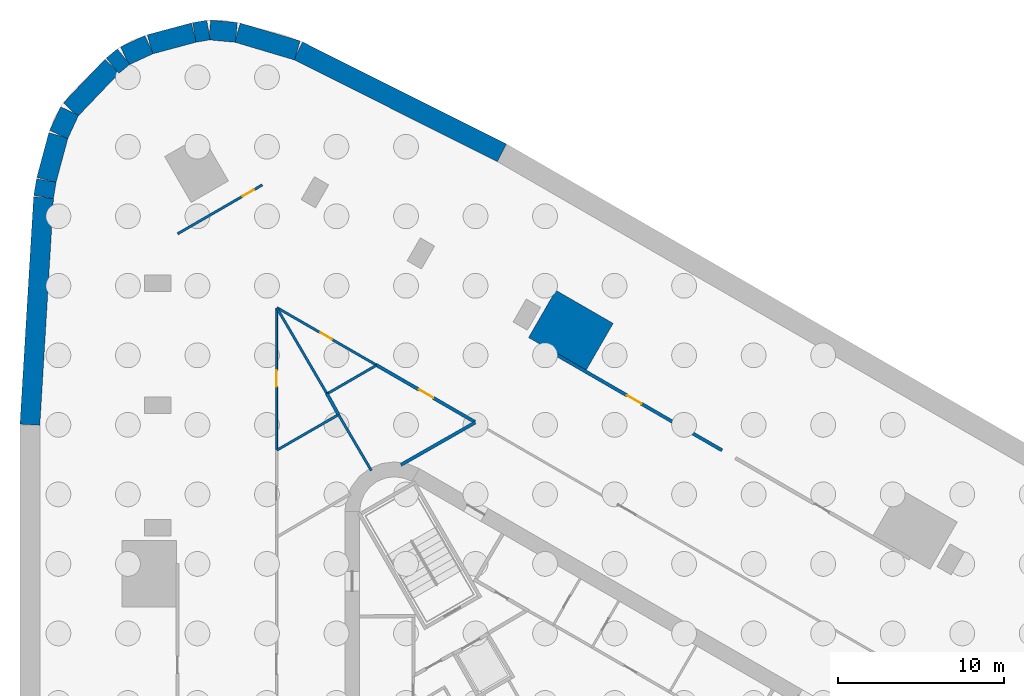
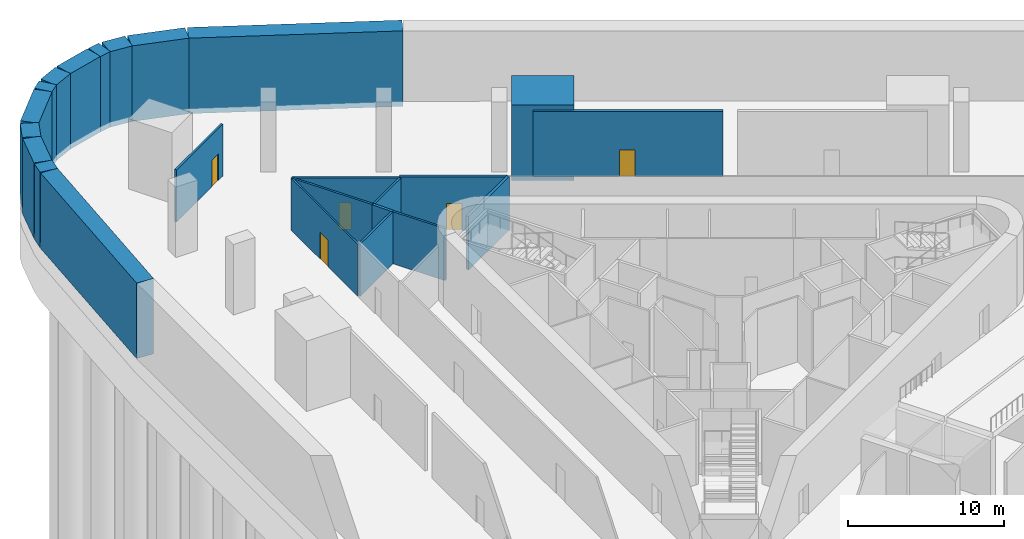
# One storey, part 9 of 13: 24 walls, 5 doors, 5 openings.
"""IFC4 building model written with IfcOpenShell, lengths in metres."""

from ifc_helpers import new_model, si_unit, direction, frame, frame_2d, origin, place, context, subcontext, project, spatial, polyline, rectangle, outline, extrude, material, layer, layer_set, type_object, element, fill, save


model = new_model("IFC4")

# Units and contexts
model_context = context("Model", 3, precision=1e-05, world=origin(), true_north=direction((0.0, 1.0)))
body_context = subcontext(model_context, "Body", "Model", "MODEL_VIEW")
ifc_project = project(units=[si_unit("LENGTHUNIT", "METRE"), si_unit("AREAUNIT", "SQUARE_METRE"), si_unit("VOLUMEUNIT", "CUBIC_METRE"), si_unit("PLANEANGLEUNIT", "RADIAN"), si_unit("MASSUNIT", "GRAM", prefix="KILO")], contexts=[model_context])

# Site, building, storey
site_placement = place(None, origin())
site = spatial("IfcSite", under=ifc_project, at=site_placement, CompositionType="ELEMENT")
building_placement = place(site_placement, origin())
building = spatial("IfcBuilding", under=site, at=building_placement, Name="Tanit Gate Tower", CompositionType="ELEMENT")
storey_placement = place(building_placement, frame((0.0, 0.0, -11.0)))
storey = spatial("IfcBuildingStorey", under=building, at=storey_placement, Name="B2", CompositionType="ELEMENT", Elevation=-11.0)

# Walls
ifc_material_1 = material(Name="Concrete C35/45", Category="concrete")
ifc_layer_1 = layer(ifc_material_1, 1.199951171875)
ifc_layer_set_1 = layer_set([ifc_layer_1], Name="DIAPHRAGM WALL 1200 C35/45")
wall_type_1 = type_object("IfcWallType", Name="DIAPHRAGM WALL 1200 C35/45", PredefinedType="SHEAR", material=ifc_layer_set_1)
wall_1_placement = place(storey_placement, frame((-31.119384765625, 21.0087890625, -0.39990234375), z_axis=(0.0, 0.0, 1.0), x_axis=(0.059805921037, 0.998210023897, 0.0)))
element("IfcWall", 1, at=wall_1_placement, inside=storey, type_object=wall_type_1, Name="DIAPHRAGM WALL", PredefinedType="SHEAR", context=body_context, shape_type="SweptSolid", body=[
    extrude(rectangle(XDim=13.744873046875, YDim=1.199951171875, at=frame_2d((6.87255859375, 0.0))), origin(), (0.0, 0.0, 1.0), 5.89990234375),
])
wall_2_placement = place(storey_placement, frame((-30.2939453125, 34.75927734375, -0.39990234375), z_axis=(0.0, 0.0, 1.0), x_axis=(0.16003956503, 0.987110600503, 0.0)))
element("IfcWall", 2, at=wall_2_placement, inside=storey, type_object=wall_type_1, Name="DIAPHRAGM WALL", PredefinedType="SHEAR", context=body_context, shape_type="SweptSolid", body=[
    extrude(rectangle(XDim=1.017578125, YDim=1.199951171875, at=frame_2d((0.5087890625, 0.0))), origin(), (0.0, 0.0, 1.0), 5.89990234375),
])
wall_3_placement = place(storey_placement, frame((-30.124755859375, 35.79345703125, -0.39990234375), z_axis=(0.0, 0.0, 1.0), x_axis=(0.259502793188, 0.965742357116, 0.0)))
element("IfcWall", 3, at=wall_3_placement, inside=storey, type_object=wall_type_1, Name="DIAPHRAGM WALL", PredefinedType="SHEAR", context=body_context, shape_type="SweptSolid", body=[
    extrude(rectangle(XDim=2.79052734375, YDim=1.199951171875, at=frame_2d((1.395263671875, 0.0))), origin(), (0.0, 0.0, 1.0), 5.89990234375),
])
wall_4_placement = place(storey_placement, frame((-29.3828125, 38.537109375, -0.39990234375), z_axis=(0.0, 0.0, 1.0), x_axis=(0.421709930533, 0.906730794938, 0.0)))
element("IfcWall", 4, at=wall_4_placement, inside=storey, type_object=wall_type_1, Name="DIAPHRAGM WALL", PredefinedType="SHEAR", context=body_context, shape_type="SweptSolid", body=[
    extrude(rectangle(XDim=1.569580078125, YDim=1.199951171875, at=frame_2d((0.78466796875, 0.0))), origin(), (0.0, 0.0, 1.0), 5.89990234375),
])
wall_5_placement = place(storey_placement, frame((-28.666015625, 40.040771484375, -0.39990234375), z_axis=(0.0, 0.0, 1.0), x_axis=(0.69065439455, 0.723184974463, 0.0)))
element("IfcWall", 5, at=wall_5_placement, inside=storey, type_object=wall_type_1, Name="DIAPHRAGM WALL", PredefinedType="SHEAR", context=body_context, shape_type="SweptSolid", body=[
    extrude(rectangle(XDim=3.639892578125, YDim=1.199951171875, at=frame_2d((1.81982421875, 0.0))), origin(), (0.0, 0.0, 1.0), 5.89990234375),
])
wall_6_placement = place(storey_placement, frame((-26.126708984375, 42.697021484375, -0.39990234375), z_axis=(0.0, 0.0, 1.0), x_axis=(0.769608956925, 0.638515507581, 0.0)))
element("IfcWall", 6, at=wall_6_placement, inside=storey, type_object=wall_type_1, Name="DIAPHRAGM WALL", PredefinedType="SHEAR", context=body_context, shape_type="SweptSolid", body=[
    extrude(rectangle(XDim=0.864013671875, YDim=1.199951171875, at=frame_2d((0.43212890625, 0.0))), origin(), (0.0, 0.0, 1.0), 5.89990234375),
])
wall_7_placement = place(storey_placement, frame((-25.395751953125, 43.290283203125, -0.39990234375), z_axis=(0.0, 0.0, 1.0), x_axis=(0.908153077633, 0.418638253848, 0.0)))
element("IfcWall", 7, at=wall_7_placement, inside=storey, type_object=wall_type_1, Name="DIAPHRAGM WALL", PredefinedType="SHEAR", context=body_context, shape_type="SweptSolid", body=[
    extrude(rectangle(XDim=1.622314453125, YDim=1.199951171875, at=frame_2d((0.81103515625, 0.0))), origin(), (0.0, 0.0, 1.0), 5.89990234375),
])
wall_8_placement = place(storey_placement, frame((-23.87451171875, 43.987060546875, -0.39990234375), z_axis=(0.0, 0.0, 1.0), x_axis=(0.965929438516, 0.258805563714, 0.0)))
element("IfcWall", 8, at=wall_8_placement, inside=storey, type_object=wall_type_1, Name="DIAPHRAGM WALL", PredefinedType="SHEAR", context=body_context, shape_type="SweptSolid", body=[
    extrude(rectangle(XDim=2.751708984375, YDim=1.199951171875, at=frame_2d((1.3759765625, 0.0))), origin(), (0.0, 0.0, 1.0), 5.89990234375),
])
wall_9_placement = place(storey_placement, frame((-21.189208984375, 44.705078125, -0.39990234375), z_axis=(0.0, 0.0, 1.0), x_axis=(0.98573984113, 0.168276455894, 0.0)))
element("IfcWall", 9, at=wall_9_placement, inside=storey, type_object=wall_type_1, Name="DIAPHRAGM WALL", PredefinedType="SHEAR", context=body_context, shape_type="SweptSolid", body=[
    extrude(rectangle(XDim=0.86767578125, YDim=1.199951171875, at=frame_2d((0.433837890625, 0.0))), origin(), (0.0, 0.0, 1.0), 5.89990234375),
])
wall_10_placement = place(storey_placement, frame((-20.256103515625, 44.85400390625, -0.39990234375), z_axis=(0.0, 0.0, 1.0), x_axis=(0.995812438951, -0.091419836086, 0.0)))
element("IfcWall", 10, at=wall_10_placement, inside=storey, type_object=wall_type_1, Name="DIAPHRAGM WALL", PredefinedType="SHEAR", context=body_context, shape_type="SweptSolid", body=[
    extrude(rectangle(XDim=1.618408203125, YDim=1.199951171875, at=frame_2d((0.80908203125, 0.0))), origin(), (0.0, 0.0, 1.0), 5.89990234375),
])
wall_11_placement = place(storey_placement, frame((-18.58642578125, 44.69482421875, -0.39990234375), z_axis=(0.0, 0.0, 1.0), x_axis=(0.958421787055, -0.285355354075, 0.0)))
element("IfcWall", 11, at=wall_11_placement, inside=storey, type_object=wall_type_1, Name="DIAPHRAGM WALL", PredefinedType="SHEAR", context=body_context, shape_type="SweptSolid", body=[
    extrude(rectangle(XDim=3.778076171875, YDim=1.199951171875, at=frame_2d((1.88916015625, 0.0))), origin(), (0.0, 0.0, 1.0), 5.89990234375),
])
wall_12_placement = place(storey_placement, frame((-14.916748046875, 43.597412109375, -0.39990234375), z_axis=(0.0, 0.0, 1.0), x_axis=(0.894256838825, -0.447554137747, 0.0)))
element("IfcWall", 12, at=wall_12_placement, inside=storey, type_object=wall_type_1, Name="DIAPHRAGM WALL", PredefinedType="SHEAR", context=body_context, shape_type="SweptSolid", body=[
    extrude(rectangle(XDim=13.763427734375, YDim=1.199951171875, at=frame_2d((6.8818359375, 0.0))), origin(), (0.0, 0.0, 1.0), 5.89990234375),
])

# Wall, opening, door
ifc_material_2 = material(Name="Fire-rated gypsum board partition")
ifc_layer_2 = layer(ifc_material_2, 0.199951171875)
ifc_layer_set_2 = layer_set([ifc_layer_2], Name="INT-WALL-COMPARTMENT")
wall_type_2 = type_object("IfcWallType", Name="INT-WALL-COMPARTMENT", PredefinedType="PARTITIONING", material=ifc_layer_set_2)
wall_13_placement = place(storey_placement, frame((-4.236328125, 21.175048828125, 0.0), z_axis=(0.0, 0.0, 1.0), x_axis=(-0.86602711848, 0.499997030048, 0.0)))
wall_13 = element("IfcWall", 13, at=wall_13_placement, inside=storey, type_object=wall_type_2, Name="Wall Compartment W092", PredefinedType="PARTITIONING", context=body_context, shape_type="SweptSolid", body=[
    extrude(rectangle(XDim=6.9013671875, YDim=0.199951171875, at=frame_2d((3.45068359375, 0.0))), origin(), (0.0, 0.0, 1.0), 4.179931640625),
])
opening_1_placement = place(wall_13_placement, frame((2.9072265625, 0.0, 0.0)))
opening_1 = element("IfcOpeningElement", 14, at=opening_1_placement, cuts=wall_13, Name="Opening F10-B2-30", PredefinedType="OPENING", context=body_context, shape_type="SweptSolid", body=[
    extrude(rectangle(XDim=1.0, YDim=2.10009765625, at=frame_2d((0.5, 1.050048828125))), frame((0.0, 0.10986328125, 0.0), z_axis=(0.0, -1.0, 0.0), x_axis=(1.0, 0.0, 0.0)), (0.0, 0.0, 1.0), 0.219970703125),
])
ifc_material_3 = material(Name="Fire-rated steel door leaf", Category="steel")
door_type_1 = type_object("IfcDoorType", Name="INT-DOOR-FIRE-1000", OperationType="NOTDEFINED", PredefinedType="USERDEFINED", material=ifc_material_3)
door_1_placement = place(opening_1_placement, origin())
door_1 = element("IfcDoor", 15, at=door_1_placement, inside=storey, type_object=door_type_1, Name="Door F10-B2-30", ObjectType="FIRE DOOR", OperationType="SINGLE_SWING_RIGHT", OverallHeight=2.10009765625, OverallWidth=1.0, PredefinedType="USERDEFINED", context=body_context, shape_type="SweptSolid", body=[
    extrude(rectangle(XDim=1.0, YDim=2.10009765625, at=frame_2d((0.5, 1.050048828125))), frame((0.0, 0.02490234375, 0.0), z_axis=(0.0, -1.0, 0.0), x_axis=(1.0, 0.0, 0.0)), (0.0, 0.0, 1.0), 0.050048828125),
])
fill(opening_1, door_1)

wall_14_placement = place(storey_placement, frame((10.69287109375, 19.460693359375, 0.0), z_axis=(0.0, 0.0, 1.0), x_axis=(-0.866020417952, 0.500008635616, 0.0)))
wall_14 = element("IfcWall", 16, at=wall_14_placement, inside=storey, type_object=wall_type_2, Name="Wall Compartment W105", PredefinedType="PARTITIONING", context=body_context, shape_type="SweptSolid", body=[
    extrude(rectangle(XDim=12.159912109375, YDim=0.199951171875, at=frame_2d((6.080078125, 0.0))), origin(), (0.0, 0.0, 1.0), 5.10009765625),
])
opening_2_placement = place(wall_14_placement, frame((5.6298828125, 0.0, 0.0)))
opening_2 = element("IfcOpeningElement", 17, at=opening_2_placement, cuts=wall_14, Name="Opening F10-B2-42", PredefinedType="OPENING", context=body_context, shape_type="SweptSolid", body=[
    extrude(rectangle(XDim=1.0, YDim=2.10009765625, at=frame_2d((0.5, 1.050048828125))), frame((0.0, 0.10986328125, 0.0), z_axis=(0.0, -1.0, 0.0), x_axis=(1.0, 0.0, 0.0)), (0.0, 0.0, 1.0), 0.219970703125),
])
door_2_placement = place(opening_2_placement, origin())
door_2 = element("IfcDoor", 18, at=door_2_placement, inside=storey, type_object=door_type_1, Name="Door F10-B2-42", ObjectType="FIRE DOOR", OperationType="SINGLE_SWING_RIGHT", OverallHeight=2.10009765625, OverallWidth=1.0, PredefinedType="USERDEFINED", context=body_context, shape_type="SweptSolid", body=[
    extrude(rectangle(XDim=1.0, YDim=2.10009765625, at=frame_2d((0.5, 1.050048828125))), frame((0.0, 0.02490234375, 0.0), z_axis=(0.0, -1.0, 0.0), x_axis=(1.0, 0.0, 0.0)), (0.0, 0.0, 1.0), 0.050048828125),
])
fill(opening_2, door_2)

# Walls
wall_15_placement = place(storey_placement, frame((-4.22021484375, 21.142822265625, 0.0), z_axis=(0.0, 0.0, 1.0), x_axis=(-0.868530929613, -0.495634970825, 0.0)))
element("IfcWall", 19, at=wall_15_placement, inside=storey, type_object=wall_type_2, Name="Wall Compartment W108", PredefinedType="PARTITIONING", context=body_context, shape_type="SweptSolid", body=[
    extrude(rectangle(XDim=5.165771484375, YDim=0.199951171875, at=frame_2d((2.5830078125, 0.0))), origin(), (0.0, 0.0, 1.0), 4.179931640625),
])
wall_16_placement = place(storey_placement, frame((-13.185546875, 22.898193359375, 0.0), z_axis=(0.0, 0.0, 1.0), x_axis=(0.482147862589, -0.876089857606, 0.0)))
element("IfcWall", 20, at=wall_16_placement, inside=storey, type_object=wall_type_2, Name="Wall Compartment W114", PredefinedType="PARTITIONING", context=body_context, shape_type="SweptSolid", body=[
    extrude(rectangle(XDim=1.472412109375, YDim=0.199951171875, at=frame_2d((0.736328125, 0.0))), origin(), (0.0, 0.0, 1.0), 4.070068359375),
])

# Wall, opening, door
ifc_material_4 = material(Name="Gypsum board partition")
ifc_layer_3 = layer(ifc_material_4, 0.1201171875)
ifc_layer_set_3 = layer_set([ifc_layer_3], Name="INT-WALL-PARTITION")
wall_type_3 = type_object("IfcWallType", Name="INT-WALL-PARTITION", PredefinedType="PARTITIONING", material=ifc_layer_set_3)
wall_17_placement = place(storey_placement, frame((-16.219970703125, 19.50146484375, 0.0), z_axis=(0.0, 0.0, 1.0), x_axis=(0.0, 1.0, 0.0)))
wall_17 = element("IfcWall", 21, at=wall_17_placement, inside=storey, type_object=wall_type_3, Name="Wall Partition W095", PredefinedType="PARTITIONING", context=body_context, shape_type="SweptSolid", body=[
    extrude(rectangle(XDim=8.557861328125, YDim=0.1201171875, at=frame_2d((4.27880859375, 0.0))), origin(), (0.0, 0.0, 1.0), 4.070068359375),
])
opening_3_placement = place(wall_17_placement, frame((3.805908203125, 0.0, 0.0)))
opening_3 = element("IfcOpeningElement", 22, at=opening_3_placement, cuts=wall_17, Name="Opening D10-B2-33", PredefinedType="OPENING", context=body_context, shape_type="SweptSolid", body=[
    extrude(rectangle(XDim=1.0, YDim=2.10009765625, at=frame_2d((0.5, 1.050048828125))), frame((0.0, 0.070068359375, 0.0), z_axis=(0.0, -1.0, 0.0), x_axis=(1.0, 0.0, 0.0)), (0.0, 0.0, 1.0), 0.14013671875),
])
ifc_material_5 = material(Name="Timber door leaf", Category="wood")
door_type_2 = type_object("IfcDoorType", Name="INT-DOOR-SINGLE-1000", OperationType="NOTDEFINED", PredefinedType="NOTDEFINED", material=ifc_material_5)
door_3_placement = place(opening_3_placement, origin())
door_3 = element("IfcDoor", 23, at=door_3_placement, inside=storey, type_object=door_type_2, Name="Door D10-B2-33", OperationType="SINGLE_SWING_LEFT", OverallHeight=2.10009765625, OverallWidth=1.0, PredefinedType="NOTDEFINED", context=body_context, shape_type="SweptSolid", body=[
    extrude(rectangle(XDim=1.0, YDim=2.10009765625, at=frame_2d((0.5, 1.050048828125))), frame((0.0, 0.02490234375, 0.0), z_axis=(0.0, -1.0, 0.0), x_axis=(1.0, 0.0, 0.0)), (0.0, 0.0, 1.0), 0.050048828125),
])
fill(opening_3, door_3)

ifc_material_6 = material(Name="Fire-rated gypsum board partition")
ifc_layer_4 = layer(ifc_material_6, 0.14990234375)
ifc_layer_set_4 = layer_set([ifc_layer_4], Name="INT-WALL-RISER")
wall_type_4 = type_object("IfcWallType", Name="INT-WALL-RISER", PredefinedType="PLUMBINGWALL", material=ifc_layer_set_4)
wall_18_placement = place(storey_placement, frame((-10.213134765625, 24.625732421875, 0.0), z_axis=(0.0, 0.0, 1.0), x_axis=(-0.866020644514, 0.500008243208, 0.0)))
wall_18 = element("IfcWall", 24, at=wall_18_placement, inside=storey, type_object=wall_type_4, Name="Wall Riser W093", PredefinedType="PLUMBINGWALL", context=body_context, shape_type="SweptSolid", body=[
    extrude(rectangle(XDim=6.90185546875, YDim=0.14990234375, at=frame_2d((3.450927734375, 0.0))), origin(), (0.0, 0.0, 1.0), 4.070068359375),
])
opening_4_placement = place(wall_18_placement, frame((3.084228515625, 0.0, 0.0)))
opening_4 = element("IfcOpeningElement", 25, at=opening_4_placement, cuts=wall_18, Name="Opening R08-B2-31", PredefinedType="OPENING", context=body_context, shape_type="SweptSolid", body=[
    extrude(rectangle(XDim=0.800048828125, YDim=2.10009765625, at=frame_2d((0.39990234375, 1.050048828125))), frame((0.0, 0.0849609375, 0.0), z_axis=(0.0, -1.0, 0.0), x_axis=(1.0, 0.0, 0.0)), (0.0, 0.0, 1.0), 0.169921875),
])
ifc_material_7 = material(Name="Timber door leaf", Category="wood")
door_type_3 = type_object("IfcDoorType", Name="INT-DOOR-RISER-800", OperationType="NOTDEFINED", PredefinedType="USERDEFINED", material=ifc_material_7)
door_4_placement = place(opening_4_placement, origin())
door_4 = element("IfcDoor", 26, at=door_4_placement, inside=storey, type_object=door_type_3, Name="Door R08-B2-31", ObjectType="FIRE DOOR", OperationType="SINGLE_SWING_LEFT", OverallHeight=2.10009765625, OverallWidth=0.800048828125, PredefinedType="USERDEFINED", context=body_context, shape_type="SweptSolid", body=[
    extrude(rectangle(XDim=0.800048828125, YDim=2.10009765625, at=frame_2d((0.39990234375, 1.050048828125))), frame((0.0, 0.02490234375, 0.0), z_axis=(0.0, -1.0, 0.0), x_axis=(1.0, 0.0, 0.0)), (0.0, 0.0, 1.0), 0.050048828125),
])
fill(opening_4, door_4)

wall_19_placement = place(storey_placement, frame((-17.081298828125, 35.49609375, 0.0), z_axis=(0.0, 0.0, 1.0), x_axis=(-0.866020498397, -0.500008496284, 0.0)))
wall_19 = element("IfcWall", 27, at=wall_19_placement, inside=storey, type_object=wall_type_4, Name="Wall Riser W102", PredefinedType="PLUMBINGWALL", context=body_context, shape_type="SweptSolid", body=[
    extrude(rectangle(XDim=5.91064453125, YDim=0.14990234375, at=frame_2d((2.955322265625, 0.0))), origin(), (0.0, 0.0, 1.0), 4.070068359375),
])
opening_5_placement = place(wall_19_placement, frame((0.58349609375, 0.0, 0.0)))
opening_5 = element("IfcOpeningElement", 28, at=opening_5_placement, cuts=wall_19, Name="Opening R08-B2-39", PredefinedType="OPENING", context=body_context, shape_type="SweptSolid", body=[
    extrude(rectangle(XDim=0.800048828125, YDim=2.10009765625, at=frame_2d((0.39990234375, 1.050048828125))), frame((0.0, 0.0849609375, 0.0), z_axis=(0.0, -1.0, 0.0), x_axis=(1.0, 0.0, 0.0)), (0.0, 0.0, 1.0), 0.169921875),
])
door_5_placement = place(opening_5_placement, origin())
door_5 = element("IfcDoor", 29, at=door_5_placement, inside=storey, type_object=door_type_3, Name="Door R08-B2-39", ObjectType="FIRE DOOR", OperationType="SINGLE_SWING_LEFT", OverallHeight=2.10009765625, OverallWidth=0.800048828125, PredefinedType="USERDEFINED", context=body_context, shape_type="SweptSolid", body=[
    extrude(rectangle(XDim=0.800048828125, YDim=2.10009765625, at=frame_2d((0.39990234375, 1.050048828125))), frame((0.0, 0.02490234375, 0.0), z_axis=(0.0, -1.0, 0.0), x_axis=(1.0, 0.0, 0.0)), (0.0, 0.0, 1.0), 0.050048828125),
])
fill(opening_5, door_5)

# Walls
wall_20_placement = place(storey_placement, frame((-10.197265625, 24.593505859375, 0.0), z_axis=(0.0, 0.0, 1.0), x_axis=(-0.865437539194, -0.501016831807, 0.0)))
element("IfcWall", 30, at=wall_20_placement, inside=storey, type_object=wall_type_4, Name="Wall Riser W112", PredefinedType="PLUMBINGWALL", context=body_context, shape_type="SweptSolid", body=[
    extrude(rectangle(XDim=3.465576171875, YDim=0.14990234375, at=frame_2d((1.73291015625, 0.0))), origin(), (0.0, 0.0, 1.0), 4.070068359375),
])
wall_21_placement = place(storey_placement, frame((-12.47509765625, 21.608642578125, 0.0), z_axis=(0.0, 0.0, 1.0), x_axis=(0.50651186771, -0.862232989318, 0.0)))
element("IfcWall", 31, at=wall_21_placement, inside=storey, type_object=wall_type_4, Name="Wall Riser W113", PredefinedType="PLUMBINGWALL", context=body_context, shape_type="SweptSolid", body=[
    extrude(rectangle(XDim=3.9052734375, YDim=0.14990234375, at=frame_2d((1.95263671875, 0.0))), origin(), (0.0, 0.0, 1.0), 4.070068359375),
])
wall_22_placement = place(storey_placement, frame((-13.185546875, 22.898193359375, 0.0), z_axis=(0.0, 0.0, 1.0), x_axis=(-0.504338258722, 0.863506178779, 0.0)))
element("IfcWall", 32, at=wall_22_placement, inside=storey, type_object=wall_type_4, Name="Wall Riser W115", PredefinedType="PLUMBINGWALL", context=body_context, shape_type="SweptSolid", body=[
    extrude(rectangle(XDim=5.97705078125, YDim=0.14990234375, at=frame_2d((2.988525390625, 0.0))), origin(), (0.0, 0.0, 1.0), 4.070068359375),
])
wall_23_placement = place(storey_placement, frame((-12.54443359375, 21.577392578125, 0.0), z_axis=(0.0, 0.0, 1.0), x_axis=(-0.866492758114, -0.499189643458, 0.0)))
element("IfcWall", 33, at=wall_23_placement, inside=storey, type_object=wall_type_4, Name="Wall Riser W116", PredefinedType="PLUMBINGWALL", context=body_context, shape_type="SweptSolid", body=[
    extrude(rectangle(XDim=4.21875, YDim=0.14990234375, at=frame_2d((2.109375, 0.0))), origin(), (0.0, 0.0, 1.0), 4.070068359375),
])
ifc_material_8 = material(Name="Concrete C60/75", Category="concrete")
ifc_layer_5 = layer(ifc_material_8, 4.0)
ifc_layer_set_5 = layer_set([ifc_layer_5], Name="PIER WALL 4000 C60/75")
wall_type_5 = type_object("IfcWallType", Name="PIER WALL 4000 C60/75", PredefinedType="SHEAR", material=ifc_layer_set_5)
wall_24_placement = place(storey_placement, frame((0.0, 0.0, -0.39990234375)))
element("IfcWall", 34, at=wall_24_placement, inside=storey, type_object=wall_type_5, Name="PIER WALL", PredefinedType="SHEAR", context=body_context, shape_type="SweptSolid", body=[
    extrude(outline(polyline([(4.116455078125, 27.1298828125), (0.65234375, 29.1298828125), (-0.99755859375, 26.27197265625), (2.466552734375, 24.27197265625), (4.116455078125, 27.1298828125)])), origin(), (0.0, 0.0, 1.0), 5.89990234375),
])

save(model, "model.ifc")
